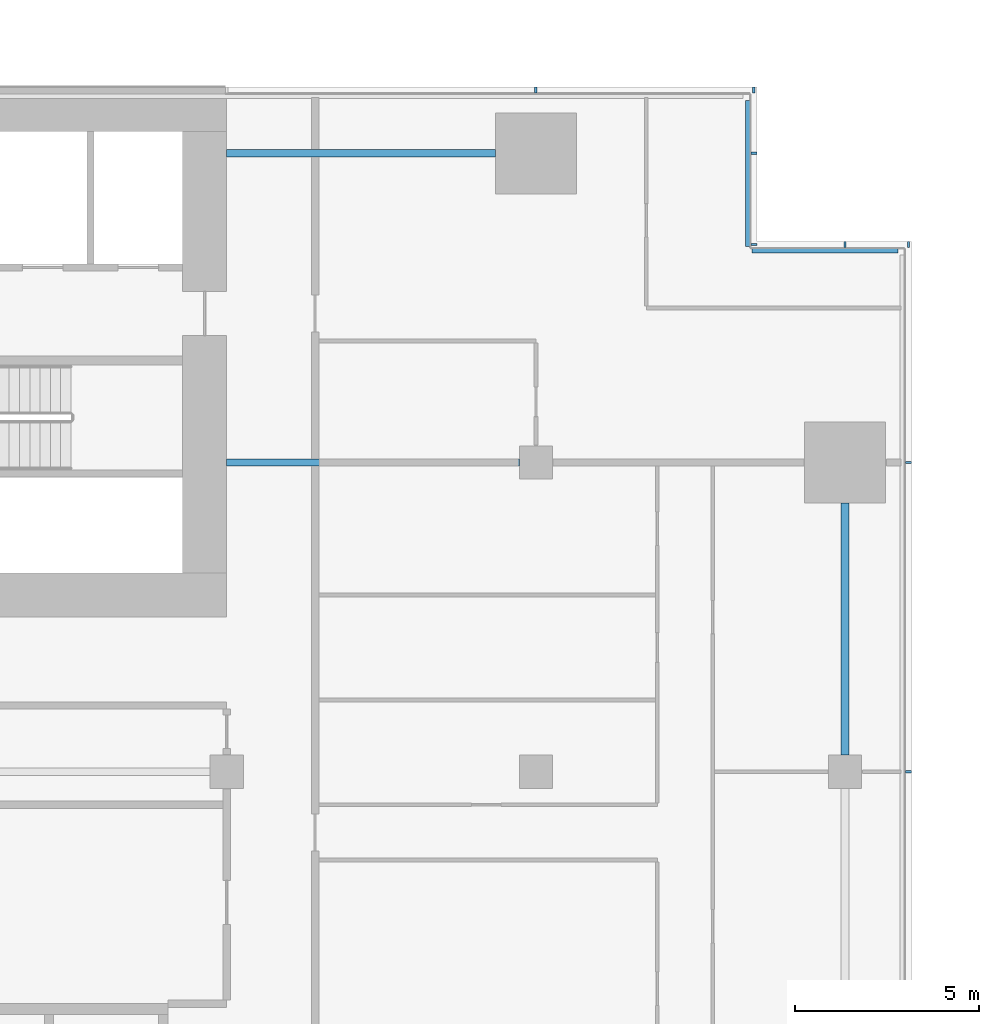
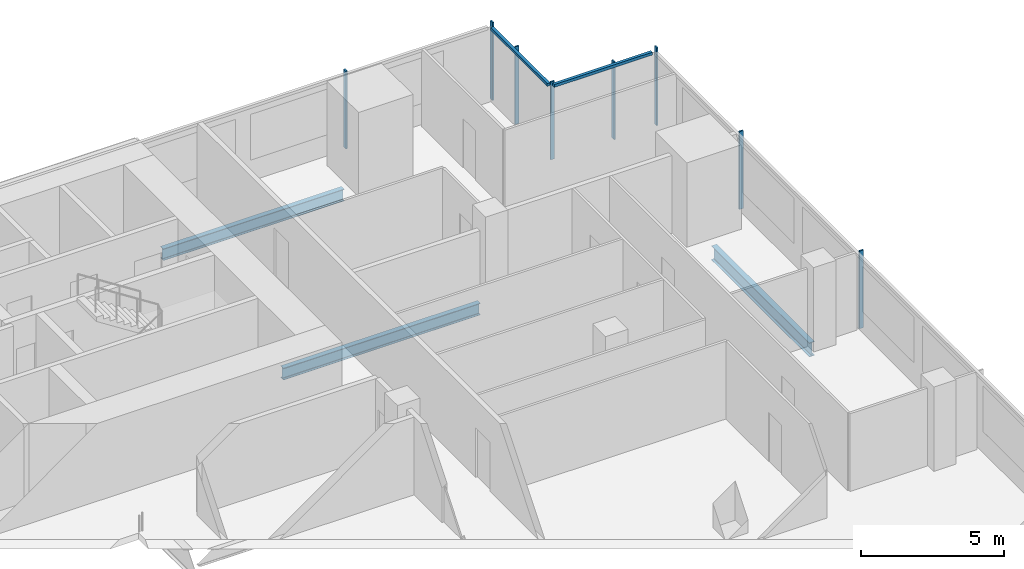
# One storey, part 15 of 30: 10 members, 3 beams, 4 elements without a shape of their own.
"""IFC4 building model written with IfcOpenShell, lengths in metres."""

from ifc_helpers import new_model, si_unit, direction, frame, origin, origin_2d, place, context, subcontext, project, spatial, rectangle, i_section, extrude, material, material_profile, profile_set, type_object, element, aggregate, save


model = new_model("IFC4")

# Units and contexts
model_context = context("Model", 3, precision=1e-05, world=origin(), true_north=direction((0.0, 1.0)))
body_context = subcontext(model_context, "Body", "Model", "MODEL_VIEW")
ifc_project = project(units=[si_unit("LENGTHUNIT", "METRE"), si_unit("AREAUNIT", "SQUARE_METRE"), si_unit("VOLUMEUNIT", "CUBIC_METRE"), si_unit("PLANEANGLEUNIT", "RADIAN"), si_unit("MASSUNIT", "GRAM", prefix="KILO")], contexts=[model_context])

# Site, building, storey
site_placement = place(None, origin())
site = spatial("IfcSite", under=ifc_project, at=site_placement, CompositionType="ELEMENT")
building_placement = place(site_placement, origin())
building = spatial("IfcBuilding", under=site, at=building_placement, Name="Saffron Gate Tower", CompositionType="ELEMENT")
storey_placement = place(building_placement, frame((0.0, 0.0, 69.60009765625)))
storey = spatial("IfcBuildingStorey", under=building, at=storey_placement, Name="L16", CompositionType="ELEMENT", Elevation=69.60009765625)

# Beams
ifc_material_1 = material(Name="Structural steel S355", Category="steel")
ifc_material_profile_1 = material_profile(ifc_material_1, i_section(OverallWidth=0.199951171875, OverallDepth=0.5, WebThickness=0.01025390625, FlangeThickness=0.01611328125, FilletRadius=0.02099609375, at=origin_2d()))
ifc_profile_set_1 = profile_set([ifc_material_profile_1], Name="Structural steel S355")
beam_type_1 = type_object("IfcBeamType", Name="B10 IPE 500", PredefinedType="BEAM", material=ifc_profile_set_1)
beam_1_placement = place(storey_placement, frame((116.550048828125, 65.39990234375, -0.530029296875), z_axis=(-1.0, 0.0, 0.0), x_axis=(0.0, -1.0, 0.0)))
element("IfcBeam", 1, at=beam_1_placement, inside=storey, type_object=beam_type_1, Name="B10 CORE TIE BEAM", PredefinedType="BEAM", context=body_context, shape_type="SweptSolid", body=[
    extrude(i_section(OverallWidth=0.199951171875, OverallDepth=0.5, WebThickness=0.01025390625, FlangeThickness=0.01611328125, FilletRadius=0.02099609375, at=origin_2d()), origin(), (0.0, 0.0, 1.0), 7.949951171875),
])
beam_2_placement = place(storey_placement, frame((115.89990234375, 73.800048828125, -0.530029296875), z_axis=(-1.0, 0.0, 0.0), x_axis=(0.0, -1.0, 0.0)))
element("IfcBeam", 2, at=beam_2_placement, inside=storey, type_object=beam_type_1, Name="B10 CORE TIE BEAM", PredefinedType="BEAM", context=body_context, shape_type="SweptSolid", body=[
    extrude(i_section(OverallWidth=0.199951171875, OverallDepth=0.5, WebThickness=0.01025390625, FlangeThickness=0.01611328125, FilletRadius=0.02099609375, at=origin_2d()), origin(), (0.0, 0.0, 1.0), 7.2998046875),
])
ifc_material_profile_2 = material_profile(ifc_material_1, i_section(OverallWidth=0.219970703125, OverallDepth=0.60009765625, WebThickness=0.011962890625, FlangeThickness=0.01904296875, FilletRadius=0.02392578125, at=origin_2d()))
ifc_profile_set_2 = profile_set([ifc_material_profile_2], Name="Structural steel S355")
beam_type_2 = type_object("IfcBeamType", Name="B16 IPE 600", PredefinedType="SPANDREL", material=ifc_profile_set_2)
beam_3_placement = place(storey_placement, frame((125.39990234375, 57.449951171875, -0.580078125), z_axis=(0.0, 1.0, 0.0), x_axis=(-1.0, 0.0, 0.0)))
element("IfcBeam", 3, at=beam_3_placement, inside=storey, type_object=beam_type_2, Name="B16 SPANDREL BEAM", PredefinedType="SPANDREL", context=body_context, shape_type="SweptSolid", body=[
    extrude(i_section(OverallWidth=0.219970703125, OverallDepth=0.60009765625, WebThickness=0.011962890625, FlangeThickness=0.01904296875, FilletRadius=0.02392578125, at=origin_2d()), origin(), (0.0, 0.0, 1.0), 6.85009765625),
])

# Curtain wall, members
ifc_material_2 = material(Name="Aluminium, bronze anodised", Category="aluminium")
curtain_wall_type_1 = type_object("IfcCurtainWallType", Name="CWS2 curtain wall side facades", PredefinedType="NOTDEFINED", material=ifc_material_2)
curtain_wall_1_placement = place(storey_placement, origin())
curtain_wall_1 = element("IfcCurtainWall", 4, at=curtain_wall_1_placement, inside=storey, type_object=curtain_wall_type_1, Name="CWS2 run 4", PredefinedType="NOTDEFINED")
ifc_material_profile_3 = material_profile(ifc_material_2, rectangle(XDim=0.159912109375, YDim=0.06005859375, at=origin_2d()))
ifc_profile_set_3 = profile_set([ifc_material_profile_3], Name="Aluminium, bronze anodised")
member_type_1 = type_object("IfcMemberType", Name="CWS2 mullion 60x160", PredefinedType="MULLION", material=ifc_profile_set_3)
member_1_placement = place(storey_placement, frame((127.1201171875, 57.0, 0.0), z_axis=(0.0, 0.0, 1.0), x_axis=(-1.0, 0.0, 0.0)))
member_1 = element("IfcMember", 5, at=member_1_placement, type_object=member_type_1, Name="CWS2 mullion 4", PredefinedType="MULLION", context=body_context, shape_type="SweptSolid", body=[
    extrude(rectangle(XDim=0.159912109375, YDim=0.06005859375, at=origin_2d()), origin(), (0.0, 0.0, 1.0), 3.31982421875),
])
member_2_placement = place(storey_placement, frame((127.1201171875, 65.39990234375, 0.0), z_axis=(0.0, 0.0, 1.0), x_axis=(-1.0, 0.0, 0.0)))
member_2 = element("IfcMember", 6, at=member_2_placement, type_object=member_type_1, Name="CWS2 mullion 5", PredefinedType="MULLION", context=body_context, shape_type="SweptSolid", body=[
    extrude(rectangle(XDim=0.159912109375, YDim=0.06005859375, at=origin_2d()), origin(), (0.0, 0.0, 1.0), 3.31982421875),
])
aggregate(curtain_wall_1, [member_1, member_2])

curtain_wall_type_2 = type_object("IfcCurtainWallType", Name="CWS3 curtain wall rear facade", PredefinedType="NOTDEFINED", material=ifc_material_2)
curtain_wall_2_placement = place(storey_placement, origin())
curtain_wall_2 = element("IfcCurtainWall", 7, at=curtain_wall_2_placement, inside=storey, type_object=curtain_wall_type_2, Name="CWS3 run 7", PredefinedType="NOTDEFINED")
ifc_material_profile_4 = material_profile(ifc_material_2, rectangle(XDim=0.159912109375, YDim=0.070068359375, at=origin_2d()))
ifc_profile_set_4 = profile_set([ifc_material_profile_4], Name="Aluminium, bronze anodised")
member_type_2 = type_object("IfcMemberType", Name="CWS3 mullion 70x160", PredefinedType="MULLION", material=ifc_profile_set_4)
member_3_placement = place(storey_placement, frame((122.919921875, 75.52001953125, 0.0), z_axis=(0.0, 0.0, 1.0), x_axis=(0.0, -1.0, 0.0)))
member_3 = element("IfcMember", 8, at=member_3_placement, type_object=member_type_2, Name="CWS3 mullion 1", PredefinedType="MULLION", context=body_context, shape_type="SweptSolid", body=[
    extrude(rectangle(XDim=0.159912109375, YDim=0.070068359375, at=origin_2d()), origin(), (0.0, 0.0, 1.0), 3.31982421875),
])
member_4_placement = place(storey_placement, frame((117.0, 75.52001953125, 0.0), z_axis=(0.0, 0.0, 1.0), x_axis=(0.0, -1.0, 0.0)))
member_4 = element("IfcMember", 9, at=member_4_placement, type_object=member_type_2, Name="CWS3 mullion 2", PredefinedType="MULLION", context=body_context, shape_type="SweptSolid", body=[
    extrude(rectangle(XDim=0.159912109375, YDim=0.070068359375, at=origin_2d()), origin(), (0.0, 0.0, 1.0), 3.31982421875),
])
aggregate(curtain_wall_2, [member_3, member_4])

# Curtain wall, member
curtain_wall_type_3 = type_object("IfcCurtainWallType", Name="CWS4 curtain wall corner returns", PredefinedType="NOTDEFINED", material=ifc_material_2)
curtain_wall_3_placement = place(storey_placement, origin())
curtain_wall_3 = element("IfcCurtainWall", 10, at=curtain_wall_3_placement, inside=storey, type_object=curtain_wall_type_3, Name="CWS4 run 5", PredefinedType="NOTDEFINED")
ifc_material_profile_5 = material_profile(ifc_material_2, rectangle(XDim=0.1201171875, YDim=0.1201171875, at=origin_2d()))
ifc_profile_set_5 = profile_set([ifc_material_profile_5], Name="Aluminium, bronze anodised")
member_type_3 = type_object("IfcMemberType", Name="CWS4 head transom", PredefinedType="USERDEFINED", material=ifc_profile_set_5)
member_5_placement = place(storey_placement, frame((126.83203125, 71.152099609375, 3.260009765625), z_axis=(-1.0, 0.0, 0.0), x_axis=(0.0, -1.0, 0.0)))
member_5 = element("IfcMember", 11, at=member_5_placement, type_object=member_type_3, Name="CWS4 head transom", ObjectType="TRANSOM", PredefinedType="USERDEFINED", context=body_context, shape_type="SweptSolid", body=[
    extrude(rectangle(XDim=0.1201171875, YDim=0.1201171875, at=origin_2d()), origin(), (0.0, 0.0, 1.0), 3.9599609375),
])

curtain_wall_4_placement = place(storey_placement, origin())
curtain_wall_4 = element("IfcCurtainWall", 12, at=curtain_wall_4_placement, inside=storey, type_object=curtain_wall_type_3, Name="CWS4 run 6", PredefinedType="NOTDEFINED")
member_6_placement = place(storey_placement, frame((122.751953125, 71.27197265625, 3.260009765625), z_axis=(0.0, 1.0, 0.0), x_axis=(-1.0, 0.0, 0.0)))
member_6 = element("IfcMember", 13, at=member_6_placement, type_object=member_type_3, Name="CWS4 head transom", ObjectType="TRANSOM", PredefinedType="USERDEFINED", context=body_context, shape_type="SweptSolid", body=[
    extrude(rectangle(XDim=0.1201171875, YDim=0.1201171875, at=origin_2d()), origin(), (0.0, 0.0, 1.0), 3.9599609375),
])

# Member
ifc_material_profile_6 = material_profile(ifc_material_2, rectangle(XDim=0.159912109375, YDim=0.06005859375, at=origin_2d()))
ifc_profile_set_6 = profile_set([ifc_material_profile_6], Name="Aluminium, bronze anodised")
member_type_4 = type_object("IfcMemberType", Name="CWS4 mullion 60x160", PredefinedType="MULLION", material=ifc_profile_set_6)
member_7_placement = place(storey_placement, frame((127.1201171875, 71.320068359375, 0.0), z_axis=(0.0, 0.0, 1.0), x_axis=(0.0, -1.0, 0.0)))
member_7 = element("IfcMember", 14, at=member_7_placement, type_object=member_type_4, Name="CWS4 mullion 1", PredefinedType="MULLION", context=body_context, shape_type="SweptSolid", body=[
    extrude(rectangle(XDim=0.159912109375, YDim=0.06005859375, at=origin_2d()), origin(), (0.0, 0.0, 1.0), 3.31982421875),
])

member_8_placement = place(storey_placement, frame((125.39990234375, 71.320068359375, 0.0), z_axis=(0.0, 0.0, 1.0), x_axis=(0.0, -1.0, 0.0)))
member_8 = element("IfcMember", 15, at=member_8_placement, type_object=member_type_4, Name="CWS4 mullion 2", PredefinedType="MULLION", context=body_context, shape_type="SweptSolid", body=[
    extrude(rectangle(XDim=0.159912109375, YDim=0.06005859375, at=origin_2d()), origin(), (0.0, 0.0, 1.0), 3.31982421875),
])

aggregate(curtain_wall_3, [member_7, member_8, member_5])

member_9_placement = place(storey_placement, frame((122.919921875, 71.320068359375, 0.0), z_axis=(0.0, 0.0, 1.0), x_axis=(-1.0, 0.0, 0.0)))
member_9 = element("IfcMember", 16, at=member_9_placement, type_object=member_type_4, Name="CWS4 mullion 1", PredefinedType="MULLION", context=body_context, shape_type="SweptSolid", body=[
    extrude(rectangle(XDim=0.159912109375, YDim=0.06005859375, at=origin_2d()), origin(), (0.0, 0.0, 1.0), 3.31982421875),
])

member_10_placement = place(storey_placement, frame((122.919921875, 73.800048828125, 0.0), z_axis=(0.0, 0.0, 1.0), x_axis=(-1.0, 0.0, 0.0)))
member_10 = element("IfcMember", 17, at=member_10_placement, type_object=member_type_4, Name="CWS4 mullion 2", PredefinedType="MULLION", context=body_context, shape_type="SweptSolid", body=[
    extrude(rectangle(XDim=0.159912109375, YDim=0.06005859375, at=origin_2d()), origin(), (0.0, 0.0, 1.0), 3.31982421875),
])

aggregate(curtain_wall_4, [member_9, member_10, member_6])

save(model, "model.ifc")
